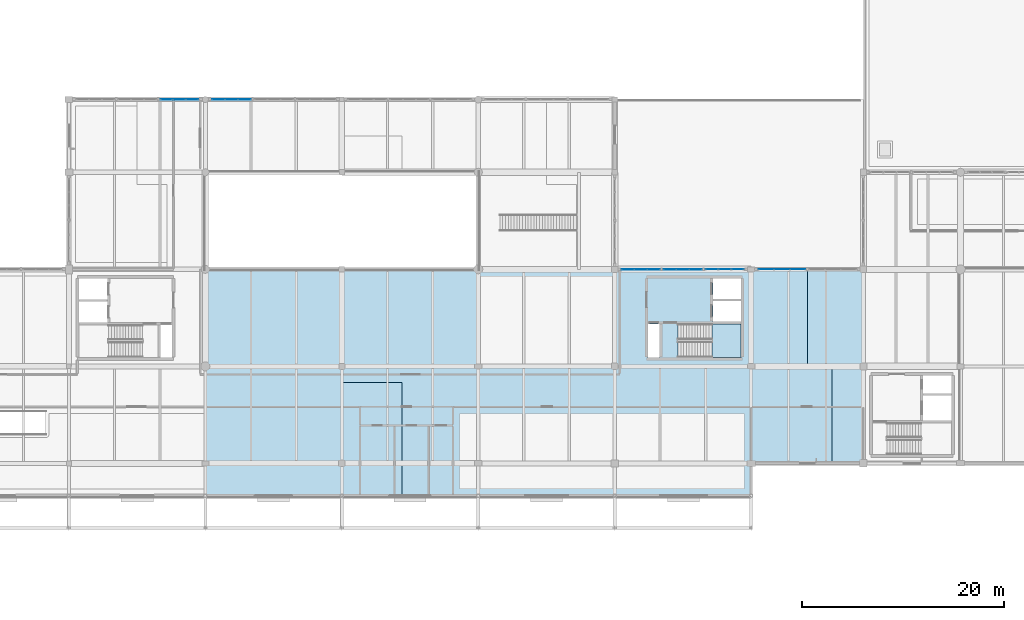
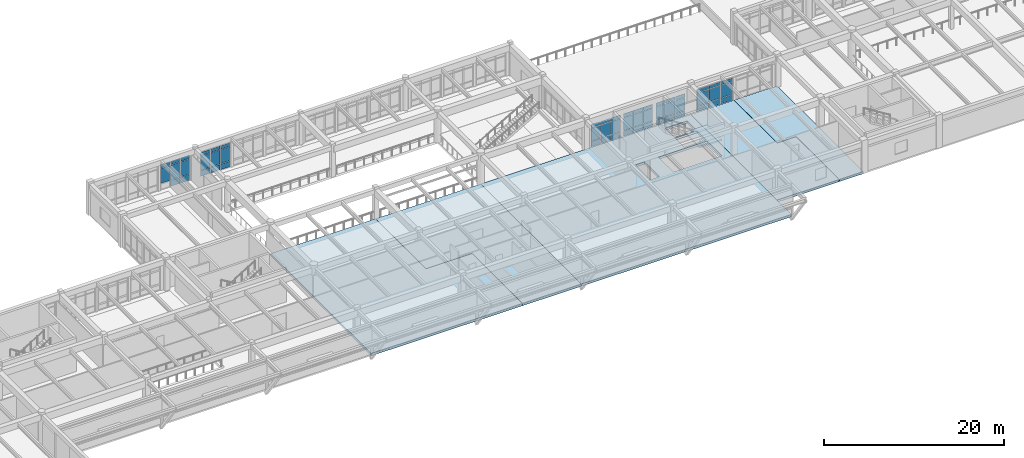
# One storey, part 71 of 109: 53 plates, 6 slabs, 7 elements without a shape of their own.
"""IFC4 building model written with IfcOpenShell, lengths in metres."""

from ifc_helpers import new_model, si_unit, direction, frame, origin, origin_2d, place, context, subcontext, project, spatial, polyline, rectangle, outline, extrude, material, layer, layer_set, type_object, element, aggregate, save


model = new_model("IFC4")

# Units and contexts
model_context = context("Model", 3, precision=1e-05, world=origin(), true_north=direction((0.0, 1.0)))
body_context = subcontext(model_context, "Body", "Model", "MODEL_VIEW")
ifc_project = project(units=[si_unit("LENGTHUNIT", "METRE"), si_unit("AREAUNIT", "SQUARE_METRE"), si_unit("VOLUMEUNIT", "CUBIC_METRE"), si_unit("PLANEANGLEUNIT", "RADIAN"), si_unit("MASSUNIT", "GRAM", prefix="KILO")], contexts=[model_context])

# Site, building, storey
site_placement = place(None, origin())
site = spatial("IfcSite", under=ifc_project, at=site_placement, CompositionType="ELEMENT")
building_placement = place(site_placement, origin())
building = spatial("IfcBuilding", under=site, at=building_placement, Name="Fikremerkos Civic Library", CompositionType="ELEMENT")
storey_placement = place(building_placement, frame((0.0, 0.0, 5.39990234375)))
storey = spatial("IfcBuildingStorey", under=building, at=storey_placement, Name="L01", CompositionType="ELEMENT", Elevation=5.39990234375)

# Curtain wall, plates
ifc_material_1 = material(Name="Anodized aluminium Frame", Category="aluminium")
ifc_layer_1 = layer(ifc_material_1, 0.159912109375, Name="Anodized aluminium Frame")
ifc_layer_set_1 = layer_set([ifc_layer_1], Name="Anodized aluminium Frame")
curtain_wall_type_1 = type_object("IfcCurtainWallType", Name="Unitised curtain wall CW-13 3700x3200", PredefinedType="USERDEFINED", material=ifc_layer_set_1)
curtain_wall_1_placement = place(storey_placement, origin())
curtain_wall_1 = element("IfcCurtainWall", 1, at=curtain_wall_1_placement, inside=storey, type_object=curtain_wall_type_1, Name="Unitised curtain wall CW-13 L01 #85", ObjectType="UNITISED CURTAIN WALL", PredefinedType="USERDEFINED")
ifc_material_2 = material(Name="Solar control double glazing", Category="glass")
ifc_layer_2 = layer(ifc_material_2, 0.028076171875, Name="Solar control double glazing")
ifc_layer_set_2 = layer_set([ifc_layer_2], Name="Solar control double glazing")
plate_type_1 = type_object("IfcPlateType", Name="Curtain glazing panel CWP-01 28", PredefinedType="CURTAIN_PANEL", material=ifc_layer_set_2)
plate_1_placement = place(storey_placement, frame((55.86572265625, 48.0, 0.8798828125), z_axis=(0.0, 0.0, 1.0), x_axis=(1.0, 0.0, 0.0)))
plate_1 = element("IfcPlate", 2, at=plate_1_placement, type_object=plate_type_1, Name="CW-13 panel 1.2", PredefinedType="CURTAIN_PANEL", context=body_context, shape_type="SweptSolid", body=[
    extrude(rectangle(XDim=1.18359375, YDim=0.028076171875, at=origin_2d()), origin(), (0.0, 0.0, 1.0), 2.050048828125),
])
plate_2_placement = place(storey_placement, frame((55.86572265625, 48.0, 2.990234375), z_axis=(0.0, 0.0, 1.0), x_axis=(1.0, 0.0, 0.0)))
plate_2 = element("IfcPlate", 3, at=plate_2_placement, type_object=plate_type_1, Name="CW-13 panel 1.3", PredefinedType="CURTAIN_PANEL", context=body_context, shape_type="SweptSolid", body=[
    extrude(rectangle(XDim=1.18359375, YDim=0.028076171875, at=origin_2d()), origin(), (0.0, 0.0, 1.0), 0.4599609375),
])
plate_3_placement = place(storey_placement, frame((57.130615234375, 48.0, 0.06005859375), z_axis=(0.0, 0.0, 1.0), x_axis=(1.0, 0.0, 0.0)))
plate_3 = element("IfcPlate", 4, at=plate_3_placement, type_object=plate_type_1, Name="CW-13 panel 2.1", PredefinedType="CURTAIN_PANEL", context=body_context, shape_type="SweptSolid", body=[
    extrude(rectangle(XDim=1.216064453125, YDim=0.028076171875, at=origin_2d()), origin(), (0.0, 0.0, 1.0), 0.760009765625),
])
plate_4_placement = place(storey_placement, frame((57.130615234375, 48.0, 0.8798828125), z_axis=(0.0, 0.0, 1.0), x_axis=(1.0, 0.0, 0.0)))
plate_4 = element("IfcPlate", 5, at=plate_4_placement, type_object=plate_type_1, Name="CW-13 panel 2.2", PredefinedType="CURTAIN_PANEL", context=body_context, shape_type="SweptSolid", body=[
    extrude(rectangle(XDim=1.216064453125, YDim=0.028076171875, at=origin_2d()), origin(), (0.0, 0.0, 1.0), 2.050048828125),
])
plate_5_placement = place(storey_placement, frame((57.130615234375, 48.0, 2.990234375), z_axis=(0.0, 0.0, 1.0), x_axis=(1.0, 0.0, 0.0)))
plate_5 = element("IfcPlate", 6, at=plate_5_placement, type_object=plate_type_1, Name="CW-13 panel 2.3", PredefinedType="CURTAIN_PANEL", context=body_context, shape_type="SweptSolid", body=[
    extrude(rectangle(XDim=1.216064453125, YDim=0.028076171875, at=origin_2d()), origin(), (0.0, 0.0, 1.0), 0.4599609375),
])
plate_6_placement = place(storey_placement, frame((58.395263671875, 48.0, 0.06005859375), z_axis=(0.0, 0.0, 1.0), x_axis=(1.0, 0.0, 0.0)))
plate_6 = element("IfcPlate", 7, at=plate_6_placement, type_object=plate_type_1, Name="CW-13 panel 3.1", PredefinedType="CURTAIN_PANEL", context=body_context, shape_type="SweptSolid", body=[
    extrude(rectangle(XDim=1.18359375, YDim=0.028076171875, at=origin_2d()), origin(), (0.0, 0.0, 1.0), 0.760009765625),
])
plate_7_placement = place(storey_placement, frame((58.395263671875, 48.0, 0.8798828125), z_axis=(0.0, 0.0, 1.0), x_axis=(1.0, 0.0, 0.0)))
plate_7 = element("IfcPlate", 8, at=plate_7_placement, type_object=plate_type_1, Name="CW-13 panel 3.2", PredefinedType="CURTAIN_PANEL", context=body_context, shape_type="SweptSolid", body=[
    extrude(rectangle(XDim=1.18359375, YDim=0.028076171875, at=origin_2d()), origin(), (0.0, 0.0, 1.0), 2.050048828125),
])
plate_8_placement = place(storey_placement, frame((58.395263671875, 48.0, 2.990234375), z_axis=(0.0, 0.0, 1.0), x_axis=(1.0, 0.0, 0.0)))
plate_8 = element("IfcPlate", 9, at=plate_8_placement, type_object=plate_type_1, Name="CW-13 panel 3.3", PredefinedType="CURTAIN_PANEL", context=body_context, shape_type="SweptSolid", body=[
    extrude(rectangle(XDim=1.18359375, YDim=0.028076171875, at=origin_2d()), origin(), (0.0, 0.0, 1.0), 0.4599609375),
])
aggregate(curtain_wall_1, [plate_1, plate_2, plate_3, plate_4, plate_5, plate_6, plate_7, plate_8])

ifc_layer_3 = layer(ifc_material_1, 0.159912109375, Name="Anodized aluminium Frame")
ifc_layer_set_3 = layer_set([ifc_layer_3], Name="Anodized aluminium Frame")
curtain_wall_type_2 = type_object("IfcCurtainWallType", Name="Unitised curtain wall CW-09 3600x3400", PredefinedType="USERDEFINED", material=ifc_layer_set_3)
curtain_wall_2_placement = place(storey_placement, origin())
curtain_wall_2 = element("IfcCurtainWall", 10, at=curtain_wall_2_placement, inside=storey, type_object=curtain_wall_type_2, Name="Unitised curtain wall CW-09 L01 #99", ObjectType="UNITISED CURTAIN WALL", PredefinedType="USERDEFINED")
plate_9_placement = place(storey_placement, frame((109.808837890625, 31.199951171875, 0.070068359375), z_axis=(0.0, 0.0, 1.0), x_axis=(1.0, 0.0, 0.0)))
plate_9 = element("IfcPlate", 11, at=plate_9_placement, type_object=plate_type_1, Name="CW-09 panel 1.1", PredefinedType="CURTAIN_PANEL", context=body_context, shape_type="SweptSolid", body=[
    extrude(rectangle(XDim=1.186279296875, YDim=0.028076171875, at=origin_2d()), origin(), (0.0, 0.0, 1.0), 0.7451171875),
])
plate_10_placement = place(storey_placement, frame((109.808837890625, 31.199951171875, 0.88525390625), z_axis=(0.0, 0.0, 1.0), x_axis=(1.0, 0.0, 0.0)))
plate_10 = element("IfcPlate", 12, at=plate_10_placement, type_object=plate_type_1, Name="CW-09 panel 1.2", PredefinedType="CURTAIN_PANEL", context=body_context, shape_type="SweptSolid", body=[
    extrude(rectangle(XDim=1.186279296875, YDim=0.028076171875, at=origin_2d()), origin(), (0.0, 0.0, 1.0), 1.699951171875),
])
plate_11_placement = place(storey_placement, frame((109.808837890625, 31.199951171875, 2.6552734375), z_axis=(0.0, 0.0, 1.0), x_axis=(1.0, 0.0, 0.0)))
plate_11 = element("IfcPlate", 13, at=plate_11_placement, type_object=plate_type_1, Name="CW-09 panel 1.3", PredefinedType="CURTAIN_PANEL", context=body_context, shape_type="SweptSolid", body=[
    extrude(rectangle(XDim=1.186279296875, YDim=0.028076171875, at=origin_2d()), origin(), (0.0, 0.0, 1.0), 0.445068359375),
])
plate_12_placement = place(storey_placement, frame((111.076416015625, 31.199951171875, 0.070068359375), z_axis=(0.0, 0.0, 1.0), x_axis=(1.0, 0.0, 0.0)))
plate_12 = element("IfcPlate", 14, at=plate_12_placement, type_object=plate_type_1, Name="CW-09 panel 2.1", PredefinedType="CURTAIN_PANEL", context=body_context, shape_type="SweptSolid", body=[
    extrude(rectangle(XDim=1.21875, YDim=0.028076171875, at=origin_2d()), origin(), (0.0, 0.0, 1.0), 0.7451171875),
])
plate_13_placement = place(storey_placement, frame((111.076416015625, 31.199951171875, 0.88525390625), z_axis=(0.0, 0.0, 1.0), x_axis=(1.0, 0.0, 0.0)))
plate_13 = element("IfcPlate", 15, at=plate_13_placement, type_object=plate_type_1, Name="CW-09 panel 2.2", PredefinedType="CURTAIN_PANEL", context=body_context, shape_type="SweptSolid", body=[
    extrude(rectangle(XDim=1.21875, YDim=0.028076171875, at=origin_2d()), origin(), (0.0, 0.0, 1.0), 1.699951171875),
])
plate_14_placement = place(storey_placement, frame((111.076416015625, 31.199951171875, 2.6552734375), z_axis=(0.0, 0.0, 1.0), x_axis=(1.0, 0.0, 0.0)))
plate_14 = element("IfcPlate", 16, at=plate_14_placement, type_object=plate_type_1, Name="CW-09 panel 2.3", PredefinedType="CURTAIN_PANEL", context=body_context, shape_type="SweptSolid", body=[
    extrude(rectangle(XDim=1.21875, YDim=0.028076171875, at=origin_2d()), origin(), (0.0, 0.0, 1.0), 0.445068359375),
])
plate_15_placement = place(storey_placement, frame((112.34375, 31.199951171875, 0.070068359375), z_axis=(0.0, 0.0, 1.0), x_axis=(1.0, 0.0, 0.0)))
plate_15 = element("IfcPlate", 17, at=plate_15_placement, type_object=plate_type_1, Name="CW-09 panel 3.1", PredefinedType="CURTAIN_PANEL", context=body_context, shape_type="SweptSolid", body=[
    extrude(rectangle(XDim=1.186279296875, YDim=0.028076171875, at=origin_2d()), origin(), (0.0, 0.0, 1.0), 0.7451171875),
])
plate_16_placement = place(storey_placement, frame((112.34375, 31.199951171875, 0.88525390625), z_axis=(0.0, 0.0, 1.0), x_axis=(1.0, 0.0, 0.0)))
plate_16 = element("IfcPlate", 18, at=plate_16_placement, type_object=plate_type_1, Name="CW-09 panel 3.2", PredefinedType="CURTAIN_PANEL", context=body_context, shape_type="SweptSolid", body=[
    extrude(rectangle(XDim=1.186279296875, YDim=0.028076171875, at=origin_2d()), origin(), (0.0, 0.0, 1.0), 1.699951171875),
])
plate_17_placement = place(storey_placement, frame((112.34375, 31.199951171875, 2.6552734375), z_axis=(0.0, 0.0, 1.0), x_axis=(1.0, 0.0, 0.0)))
plate_17 = element("IfcPlate", 19, at=plate_17_placement, type_object=plate_type_1, Name="CW-09 panel 3.3", PredefinedType="CURTAIN_PANEL", context=body_context, shape_type="SweptSolid", body=[
    extrude(rectangle(XDim=1.186279296875, YDim=0.028076171875, at=origin_2d()), origin(), (0.0, 0.0, 1.0), 0.445068359375),
])
aggregate(curtain_wall_2, [plate_9, plate_10, plate_11, plate_12, plate_13, plate_14, plate_15, plate_16, plate_17])

ifc_layer_4 = layer(ifc_material_1, 0.159912109375, Name="Anodized aluminium Frame")
ifc_layer_set_4 = layer_set([ifc_layer_4], Name="Anodized aluminium Frame")
curtain_wall_type_3 = type_object("IfcCurtainWallType", Name="Unitised curtain wall CW-14 4100x3200", PredefinedType="USERDEFINED", material=ifc_layer_set_4)
curtain_wall_3_placement = place(storey_placement, origin())
curtain_wall_3 = element("IfcCurtainWall", 20, at=curtain_wall_3_placement, inside=storey, type_object=curtain_wall_type_3, Name="Unitised curtain wall CW-14 L01 #86", ObjectType="UNITISED CURTAIN WALL", PredefinedType="USERDEFINED")
ifc_layer_5 = layer(ifc_material_2, 0.035888671875, Name="Solar control double glazing")
ifc_layer_set_5 = layer_set([ifc_layer_5], Name="Solar control double glazing")
plate_type_2 = type_object("IfcPlateType", Name="Curtain glazing panel CWP-02 36", PredefinedType="CURTAIN_PANEL", material=ifc_layer_set_5)
plate_18_placement = place(storey_placement, frame((61.01171875, 48.0, 0.06005859375), z_axis=(0.0, 0.0, 1.0), x_axis=(1.0, 0.0, 0.0)))
plate_18 = element("IfcPlate", 21, at=plate_18_placement, type_object=plate_type_2, Name="CW-14 panel 1.1", PredefinedType="CURTAIN_PANEL", context=body_context, shape_type="SweptSolid", body=[
    extrude(rectangle(XDim=1.207763671875, YDim=0.035888671875, at=origin_2d()), origin(), (0.0, 0.0, 1.0), 0.760009765625),
])
plate_19_placement = place(storey_placement, frame((61.01171875, 48.0, 0.880126953125), z_axis=(0.0, 0.0, 1.0), x_axis=(1.0, 0.0, 0.0)))
plate_19 = element("IfcPlate", 22, at=plate_19_placement, type_object=plate_type_2, Name="CW-14 panel 1.2", PredefinedType="CURTAIN_PANEL", context=body_context, shape_type="SweptSolid", body=[
    extrude(rectangle(XDim=1.207763671875, YDim=0.035888671875, at=origin_2d()), origin(), (0.0, 0.0, 1.0), 1.89990234375),
])
plate_20_placement = place(storey_placement, frame((61.01171875, 48.0, 2.840087890625), z_axis=(0.0, 0.0, 1.0), x_axis=(1.0, 0.0, 0.0)))
plate_20 = element("IfcPlate", 23, at=plate_20_placement, type_object=plate_type_2, Name="CW-14 panel 1.3", PredefinedType="CURTAIN_PANEL", context=body_context, shape_type="SweptSolid", body=[
    extrude(rectangle(XDim=1.207763671875, YDim=0.035888671875, at=origin_2d()), origin(), (0.0, 0.0, 1.0), 0.4599609375),
])
plate_21_placement = place(storey_placement, frame((62.29443359375, 48.0, 0.06005859375), z_axis=(0.0, 0.0, 1.0), x_axis=(1.0, 0.0, 0.0)))
plate_21 = element("IfcPlate", 24, at=plate_21_placement, type_object=plate_type_2, Name="CW-14 panel 2.1", PredefinedType="CURTAIN_PANEL", context=body_context, shape_type="SweptSolid", body=[
    extrude(rectangle(XDim=1.237548828125, YDim=0.035888671875, at=origin_2d()), origin(), (0.0, 0.0, 1.0), 0.760009765625),
])
plate_22_placement = place(storey_placement, frame((62.29443359375, 48.0, 0.880126953125), z_axis=(0.0, 0.0, 1.0), x_axis=(1.0, 0.0, 0.0)))
plate_22 = element("IfcPlate", 25, at=plate_22_placement, type_object=plate_type_2, Name="CW-14 panel 2.2", PredefinedType="CURTAIN_PANEL", context=body_context, shape_type="SweptSolid", body=[
    extrude(rectangle(XDim=1.237548828125, YDim=0.035888671875, at=origin_2d()), origin(), (0.0, 0.0, 1.0), 1.89990234375),
])
plate_23_placement = place(storey_placement, frame((62.29443359375, 48.0, 2.840087890625), z_axis=(0.0, 0.0, 1.0), x_axis=(1.0, 0.0, 0.0)))
plate_23 = element("IfcPlate", 26, at=plate_23_placement, type_object=plate_type_2, Name="CW-14 panel 2.3", PredefinedType="CURTAIN_PANEL", context=body_context, shape_type="SweptSolid", body=[
    extrude(rectangle(XDim=1.237548828125, YDim=0.035888671875, at=origin_2d()), origin(), (0.0, 0.0, 1.0), 0.4599609375),
])
plate_24_placement = place(storey_placement, frame((63.5771484375, 48.0, 0.06005859375), z_axis=(0.0, 0.0, 1.0), x_axis=(1.0, 0.0, 0.0)))
plate_24 = element("IfcPlate", 27, at=plate_24_placement, type_object=plate_type_2, Name="CW-14 panel 3.1", PredefinedType="CURTAIN_PANEL", context=body_context, shape_type="SweptSolid", body=[
    extrude(rectangle(XDim=1.207763671875, YDim=0.035888671875, at=origin_2d()), origin(), (0.0, 0.0, 1.0), 0.760009765625),
])
plate_25_placement = place(storey_placement, frame((63.5771484375, 48.0, 0.880126953125), z_axis=(0.0, 0.0, 1.0), x_axis=(1.0, 0.0, 0.0)))
plate_25 = element("IfcPlate", 28, at=plate_25_placement, type_object=plate_type_2, Name="CW-14 panel 3.2", PredefinedType="CURTAIN_PANEL", context=body_context, shape_type="SweptSolid", body=[
    extrude(rectangle(XDim=1.207763671875, YDim=0.035888671875, at=origin_2d()), origin(), (0.0, 0.0, 1.0), 1.89990234375),
])
plate_26_placement = place(storey_placement, frame((63.5771484375, 48.0, 2.840087890625), z_axis=(0.0, 0.0, 1.0), x_axis=(1.0, 0.0, 0.0)))
plate_26 = element("IfcPlate", 29, at=plate_26_placement, type_object=plate_type_2, Name="CW-14 panel 3.3", PredefinedType="CURTAIN_PANEL", context=body_context, shape_type="SweptSolid", body=[
    extrude(rectangle(XDim=1.207763671875, YDim=0.035888671875, at=origin_2d()), origin(), (0.0, 0.0, 1.0), 0.4599609375),
])
aggregate(curtain_wall_3, [plate_18, plate_19, plate_20, plate_21, plate_22, plate_23, plate_24, plate_25, plate_26])

ifc_layer_6 = layer(ifc_material_1, 0.159912109375, Name="Anodized aluminium Frame")
ifc_layer_set_6 = layer_set([ifc_layer_6], Name="Anodized aluminium Frame")
curtain_wall_type_4 = type_object("IfcCurtainWallType", Name="Unitised curtain wall CW-10 4000x3400", PredefinedType="USERDEFINED", material=ifc_layer_set_6)
curtain_wall_4_placement = place(storey_placement, origin())
curtain_wall_4 = element("IfcCurtainWall", 30, at=curtain_wall_4_placement, inside=storey, type_object=curtain_wall_type_4, Name="Unitised curtain wall CW-10 L01 #100", ObjectType="UNITISED CURTAIN WALL", PredefinedType="USERDEFINED")
plate_27_placement = place(storey_placement, frame((115.19873046875, 31.199951171875, 0.070068359375), z_axis=(0.0, 0.0, 1.0), x_axis=(1.0, 0.0, 0.0)))
plate_27 = element("IfcPlate", 31, at=plate_27_placement, type_object=plate_type_2, Name="CW-10 panel 1.1", PredefinedType="CURTAIN_PANEL", context=body_context, shape_type="SweptSolid", body=[
    extrude(rectangle(XDim=1.4814453125, YDim=0.035888671875, at=origin_2d()), origin(), (0.0, 0.0, 1.0), 0.7451171875),
])
plate_28_placement = place(storey_placement, frame((115.19873046875, 31.199951171875, 0.88525390625), z_axis=(0.0, 0.0, 1.0), x_axis=(1.0, 0.0, 0.0)))
plate_28 = element("IfcPlate", 32, at=plate_28_placement, type_object=plate_type_2, Name="CW-10 panel 1.2", PredefinedType="CURTAIN_PANEL", context=body_context, shape_type="SweptSolid", body=[
    extrude(rectangle(XDim=1.4814453125, YDim=0.035888671875, at=origin_2d()), origin(), (0.0, 0.0, 1.0), 1.699951171875),
])
plate_29_placement = place(storey_placement, frame((115.19873046875, 31.199951171875, 2.6552734375), z_axis=(0.0, 0.0, 1.0), x_axis=(1.0, 0.0, 0.0)))
plate_29 = element("IfcPlate", 33, at=plate_29_placement, type_object=plate_type_2, Name="CW-10 panel 1.3", PredefinedType="CURTAIN_PANEL", context=body_context, shape_type="SweptSolid", body=[
    extrude(rectangle(XDim=1.4814453125, YDim=0.035888671875, at=origin_2d()), origin(), (0.0, 0.0, 1.0), 0.445068359375),
])
plate_30_placement = place(storey_placement, frame((116.75537109375, 31.199951171875, 0.070068359375), z_axis=(0.0, 0.0, 1.0), x_axis=(1.0, 0.0, 0.0)))
plate_30 = element("IfcPlate", 34, at=plate_30_placement, type_object=plate_type_2, Name="CW-10 panel 2.1", PredefinedType="CURTAIN_PANEL", context=body_context, shape_type="SweptSolid", body=[
    extrude(rectangle(XDim=1.511474609375, YDim=0.035888671875, at=origin_2d()), origin(), (0.0, 0.0, 1.0), 0.7451171875),
])
plate_31_placement = place(storey_placement, frame((116.75537109375, 31.199951171875, 0.88525390625), z_axis=(0.0, 0.0, 1.0), x_axis=(1.0, 0.0, 0.0)))
plate_31 = element("IfcPlate", 35, at=plate_31_placement, type_object=plate_type_2, Name="CW-10 panel 2.2", PredefinedType="CURTAIN_PANEL", context=body_context, shape_type="SweptSolid", body=[
    extrude(rectangle(XDim=1.511474609375, YDim=0.035888671875, at=origin_2d()), origin(), (0.0, 0.0, 1.0), 1.699951171875),
])
plate_32_placement = place(storey_placement, frame((116.75537109375, 31.199951171875, 2.6552734375), z_axis=(0.0, 0.0, 1.0), x_axis=(1.0, 0.0, 0.0)))
plate_32 = element("IfcPlate", 36, at=plate_32_placement, type_object=plate_type_2, Name="CW-10 panel 2.3", PredefinedType="CURTAIN_PANEL", context=body_context, shape_type="SweptSolid", body=[
    extrude(rectangle(XDim=1.511474609375, YDim=0.035888671875, at=origin_2d()), origin(), (0.0, 0.0, 1.0), 0.445068359375),
])
plate_33_placement = place(storey_placement, frame((118.311767578125, 31.199951171875, 0.070068359375), z_axis=(0.0, 0.0, 1.0), x_axis=(1.0, 0.0, 0.0)))
plate_33 = element("IfcPlate", 37, at=plate_33_placement, type_object=plate_type_2, Name="CW-10 panel 3.1", PredefinedType="CURTAIN_PANEL", context=body_context, shape_type="SweptSolid", body=[
    extrude(rectangle(XDim=1.4814453125, YDim=0.035888671875, at=origin_2d()), origin(), (0.0, 0.0, 1.0), 0.7451171875),
])
plate_34_placement = place(storey_placement, frame((118.311767578125, 31.199951171875, 0.88525390625), z_axis=(0.0, 0.0, 1.0), x_axis=(1.0, 0.0, 0.0)))
plate_34 = element("IfcPlate", 38, at=plate_34_placement, type_object=plate_type_2, Name="CW-10 panel 3.2", PredefinedType="CURTAIN_PANEL", context=body_context, shape_type="SweptSolid", body=[
    extrude(rectangle(XDim=1.4814453125, YDim=0.035888671875, at=origin_2d()), origin(), (0.0, 0.0, 1.0), 1.699951171875),
])
plate_35_placement = place(storey_placement, frame((118.311767578125, 31.199951171875, 2.6552734375), z_axis=(0.0, 0.0, 1.0), x_axis=(1.0, 0.0, 0.0)))
plate_35 = element("IfcPlate", 39, at=plate_35_placement, type_object=plate_type_2, Name="CW-10 panel 3.3", PredefinedType="CURTAIN_PANEL", context=body_context, shape_type="SweptSolid", body=[
    extrude(rectangle(XDim=1.4814453125, YDim=0.035888671875, at=origin_2d()), origin(), (0.0, 0.0, 1.0), 0.445068359375),
])
aggregate(curtain_wall_4, [plate_27, plate_28, plate_29, plate_30, plate_31, plate_32, plate_33, plate_34, plate_35])

ifc_layer_7 = layer(ifc_material_1, 0.159912109375, Name="Anodized aluminium Frame")
ifc_layer_set_7 = layer_set([ifc_layer_7], Name="Anodized aluminium Frame")
curtain_wall_type_5 = type_object("IfcCurtainWallType", Name="Unitised curtain wall CW-07 3500x4100", PredefinedType="USERDEFINED", material=ifc_layer_set_7)
curtain_wall_5_placement = place(storey_placement, origin())
curtain_wall_5 = element("IfcCurtainWall", 40, at=curtain_wall_5_placement, inside=storey, type_object=curtain_wall_type_5, Name="Unitised curtain wall CW-07 L01 #97", ObjectType="UNITISED CURTAIN WALL", PredefinedType="USERDEFINED")
ifc_material_3 = material(Name="Insulated aluminium spandrel", Category="aluminium")
ifc_layer_8 = layer(ifc_material_3, 0.044921875, Name="Insulated aluminium spandrel")
ifc_layer_set_8 = layer_set([ifc_layer_8], Name="Insulated aluminium spandrel")
plate_type_3 = type_object("IfcPlateType", Name="Curtain spandrel panel CSP-01 45", PredefinedType="CURTAIN_PANEL", material=ifc_layer_set_8)
plate_36_placement = place(storey_placement, frame((101.5048828125, 31.199951171875, 0.070068359375), z_axis=(0.0, 0.0, 1.0), x_axis=(1.0, 0.0, 0.0)))
plate_36 = element("IfcPlate", 41, at=plate_36_placement, type_object=plate_type_3, Name="CW-07 panel 1.1", PredefinedType="CURTAIN_PANEL", context=body_context, shape_type="SweptSolid", body=[
    extrude(rectangle(XDim=1.19384765625, YDim=0.044921875, at=origin_2d()), origin(), (0.0, 0.0, 1.0), 0.7451171875),
])
plate_37_placement = place(storey_placement, frame((101.5048828125, 31.199951171875, 0.88525390625), z_axis=(0.0, 0.0, 1.0), x_axis=(1.0, 0.0, 0.0)))
plate_37 = element("IfcPlate", 42, at=plate_37_placement, type_object=plate_type_3, Name="CW-07 panel 1.2", PredefinedType="CURTAIN_PANEL", context=body_context, shape_type="SweptSolid", body=[
    extrude(rectangle(XDim=1.19384765625, YDim=0.044921875, at=origin_2d()), origin(), (0.0, 0.0, 1.0), 1.699951171875),
])
plate_38_placement = place(storey_placement, frame((101.5048828125, 31.199951171875, 2.6552734375), z_axis=(0.0, 0.0, 1.0), x_axis=(1.0, 0.0, 0.0)))
plate_38 = element("IfcPlate", 43, at=plate_38_placement, type_object=plate_type_3, Name="CW-07 panel 1.3", PredefinedType="CURTAIN_PANEL", context=body_context, shape_type="SweptSolid", body=[
    extrude(rectangle(XDim=1.19384765625, YDim=0.044921875, at=origin_2d()), origin(), (0.0, 0.0, 1.0), 0.445068359375),
])
plate_39_placement = place(storey_placement, frame((102.773681640625, 31.199951171875, 0.070068359375), z_axis=(0.0, 0.0, 1.0), x_axis=(1.0, 0.0, 0.0)))
plate_39 = element("IfcPlate", 44, at=plate_39_placement, type_object=plate_type_3, Name="CW-07 panel 2.1", PredefinedType="CURTAIN_PANEL", context=body_context, shape_type="SweptSolid", body=[
    extrude(rectangle(XDim=1.223876953125, YDim=0.044921875, at=origin_2d()), origin(), (0.0, 0.0, 1.0), 0.7451171875),
])
plate_40_placement = place(storey_placement, frame((102.773681640625, 31.199951171875, 0.88525390625), z_axis=(0.0, 0.0, 1.0), x_axis=(1.0, 0.0, 0.0)))
plate_40 = element("IfcPlate", 45, at=plate_40_placement, type_object=plate_type_3, Name="CW-07 panel 2.2", PredefinedType="CURTAIN_PANEL", context=body_context, shape_type="SweptSolid", body=[
    extrude(rectangle(XDim=1.223876953125, YDim=0.044921875, at=origin_2d()), origin(), (0.0, 0.0, 1.0), 1.699951171875),
])
plate_41_placement = place(storey_placement, frame((102.773681640625, 31.199951171875, 2.6552734375), z_axis=(0.0, 0.0, 1.0), x_axis=(1.0, 0.0, 0.0)))
plate_41 = element("IfcPlate", 46, at=plate_41_placement, type_object=plate_type_3, Name="CW-07 panel 2.3", PredefinedType="CURTAIN_PANEL", context=body_context, shape_type="SweptSolid", body=[
    extrude(rectangle(XDim=1.223876953125, YDim=0.044921875, at=origin_2d()), origin(), (0.0, 0.0, 1.0), 0.445068359375),
])
plate_42_placement = place(storey_placement, frame((104.04248046875, 31.199951171875, 0.070068359375), z_axis=(0.0, 0.0, 1.0), x_axis=(1.0, 0.0, 0.0)))
plate_42 = element("IfcPlate", 47, at=plate_42_placement, type_object=plate_type_3, Name="CW-07 panel 3.1", PredefinedType="CURTAIN_PANEL", context=body_context, shape_type="SweptSolid", body=[
    extrude(rectangle(XDim=1.19384765625, YDim=0.044921875, at=origin_2d()), origin(), (0.0, 0.0, 1.0), 0.7451171875),
])
plate_43_placement = place(storey_placement, frame((104.04248046875, 31.199951171875, 0.88525390625), z_axis=(0.0, 0.0, 1.0), x_axis=(1.0, 0.0, 0.0)))
plate_43 = element("IfcPlate", 48, at=plate_43_placement, type_object=plate_type_3, Name="CW-07 panel 3.2", PredefinedType="CURTAIN_PANEL", context=body_context, shape_type="SweptSolid", body=[
    extrude(rectangle(XDim=1.19384765625, YDim=0.044921875, at=origin_2d()), origin(), (0.0, 0.0, 1.0), 1.699951171875),
])
plate_44_placement = place(storey_placement, frame((104.04248046875, 31.199951171875, 2.6552734375), z_axis=(0.0, 0.0, 1.0), x_axis=(1.0, 0.0, 0.0)))
plate_44 = element("IfcPlate", 49, at=plate_44_placement, type_object=plate_type_3, Name="CW-07 panel 3.3", PredefinedType="CURTAIN_PANEL", context=body_context, shape_type="SweptSolid", body=[
    extrude(rectangle(XDim=1.19384765625, YDim=0.044921875, at=origin_2d()), origin(), (0.0, 0.0, 1.0), 0.445068359375),
])
aggregate(curtain_wall_5, [plate_36, plate_37, plate_38, plate_39, plate_40, plate_41, plate_42, plate_43, plate_44])

ifc_layer_9 = layer(ifc_material_1, 0.159912109375, Name="Anodized aluminium Frame")
ifc_layer_set_9 = layer_set([ifc_layer_9], Name="Anodized aluminium Frame")
curtain_wall_type_6 = type_object("IfcCurtainWallType", Name="Unitised curtain wall CW-08 4500x4100", PredefinedType="USERDEFINED", material=ifc_layer_set_9)
curtain_wall_6_placement = place(storey_placement, origin())
curtain_wall_6 = element("IfcCurtainWall", 50, at=curtain_wall_6_placement, inside=storey, type_object=curtain_wall_type_6, Name="Unitised curtain wall CW-08 L01 #98", ObjectType="UNITISED CURTAIN WALL", PredefinedType="USERDEFINED")
ifc_layer_10 = layer(ifc_material_3, 0.054931640625, Name="Insulated aluminium spandrel")
ifc_layer_set_10 = layer_set([ifc_layer_10], Name="Insulated aluminium spandrel")
plate_type_4 = type_object("IfcPlateType", Name="Curtain spandrel panel CSP-02 55", PredefinedType="CURTAIN_PANEL", material=ifc_layer_set_10)
plate_45_placement = place(storey_placement, frame((105.65625, 31.199951171875, 0.070068359375), z_axis=(0.0, 0.0, 1.0), x_axis=(1.0, 0.0, 0.0)))
plate_45 = element("IfcPlate", 51, at=plate_45_placement, type_object=plate_type_4, Name="CW-08 panel 1.1", PredefinedType="CURTAIN_PANEL", context=body_context, shape_type="SweptSolid", body=[
    extrude(rectangle(XDim=1.19384765625, YDim=0.054931640625, at=origin_2d()), origin(), (0.0, 0.0, 1.0), 0.7451171875),
])
plate_46_placement = place(storey_placement, frame((105.65625, 31.199951171875, 0.88525390625), z_axis=(0.0, 0.0, 1.0), x_axis=(1.0, 0.0, 0.0)))
plate_46 = element("IfcPlate", 52, at=plate_46_placement, type_object=plate_type_4, Name="CW-08 panel 1.2", PredefinedType="CURTAIN_PANEL", context=body_context, shape_type="SweptSolid", body=[
    extrude(rectangle(XDim=1.19384765625, YDim=0.054931640625, at=origin_2d()), origin(), (0.0, 0.0, 1.0), 1.699951171875),
])
plate_47_placement = place(storey_placement, frame((105.65625, 31.199951171875, 2.6552734375), z_axis=(0.0, 0.0, 1.0), x_axis=(1.0, 0.0, 0.0)))
plate_47 = element("IfcPlate", 53, at=plate_47_placement, type_object=plate_type_4, Name="CW-08 panel 1.3", PredefinedType="CURTAIN_PANEL", context=body_context, shape_type="SweptSolid", body=[
    extrude(rectangle(XDim=1.19384765625, YDim=0.054931640625, at=origin_2d()), origin(), (0.0, 0.0, 1.0), 0.445068359375),
])
plate_48_placement = place(storey_placement, frame((106.925048828125, 31.199951171875, 0.070068359375), z_axis=(0.0, 0.0, 1.0), x_axis=(1.0, 0.0, 0.0)))
plate_48 = element("IfcPlate", 54, at=plate_48_placement, type_object=plate_type_4, Name="CW-08 panel 2.1", PredefinedType="CURTAIN_PANEL", context=body_context, shape_type="SweptSolid", body=[
    extrude(rectangle(XDim=1.223876953125, YDim=0.054931640625, at=origin_2d()), origin(), (0.0, 0.0, 1.0), 0.7451171875),
])
plate_49_placement = place(storey_placement, frame((106.925048828125, 31.199951171875, 0.88525390625), z_axis=(0.0, 0.0, 1.0), x_axis=(1.0, 0.0, 0.0)))
plate_49 = element("IfcPlate", 55, at=plate_49_placement, type_object=plate_type_4, Name="CW-08 panel 2.2", PredefinedType="CURTAIN_PANEL", context=body_context, shape_type="SweptSolid", body=[
    extrude(rectangle(XDim=1.223876953125, YDim=0.054931640625, at=origin_2d()), origin(), (0.0, 0.0, 1.0), 1.699951171875),
])
plate_50_placement = place(storey_placement, frame((106.925048828125, 31.199951171875, 2.6552734375), z_axis=(0.0, 0.0, 1.0), x_axis=(1.0, 0.0, 0.0)))
plate_50 = element("IfcPlate", 56, at=plate_50_placement, type_object=plate_type_4, Name="CW-08 panel 2.3", PredefinedType="CURTAIN_PANEL", context=body_context, shape_type="SweptSolid", body=[
    extrude(rectangle(XDim=1.223876953125, YDim=0.054931640625, at=origin_2d()), origin(), (0.0, 0.0, 1.0), 0.445068359375),
])
plate_51_placement = place(storey_placement, frame((108.19384765625, 31.199951171875, 0.070068359375), z_axis=(0.0, 0.0, 1.0), x_axis=(1.0, 0.0, 0.0)))
plate_51 = element("IfcPlate", 57, at=plate_51_placement, type_object=plate_type_4, Name="CW-08 panel 3.1", PredefinedType="CURTAIN_PANEL", context=body_context, shape_type="SweptSolid", body=[
    extrude(rectangle(XDim=1.19384765625, YDim=0.054931640625, at=origin_2d()), origin(), (0.0, 0.0, 1.0), 0.7451171875),
])
plate_52_placement = place(storey_placement, frame((108.19384765625, 31.199951171875, 0.88525390625), z_axis=(0.0, 0.0, 1.0), x_axis=(1.0, 0.0, 0.0)))
plate_52 = element("IfcPlate", 58, at=plate_52_placement, type_object=plate_type_4, Name="CW-08 panel 3.2", PredefinedType="CURTAIN_PANEL", context=body_context, shape_type="SweptSolid", body=[
    extrude(rectangle(XDim=1.19384765625, YDim=0.054931640625, at=origin_2d()), origin(), (0.0, 0.0, 1.0), 1.699951171875),
])
plate_53_placement = place(storey_placement, frame((108.19384765625, 31.199951171875, 2.6552734375), z_axis=(0.0, 0.0, 1.0), x_axis=(1.0, 0.0, 0.0)))
plate_53 = element("IfcPlate", 59, at=plate_53_placement, type_object=plate_type_4, Name="CW-08 panel 3.3", PredefinedType="CURTAIN_PANEL", context=body_context, shape_type="SweptSolid", body=[
    extrude(rectangle(XDim=1.19384765625, YDim=0.054931640625, at=origin_2d()), origin(), (0.0, 0.0, 1.0), 0.445068359375),
])
aggregate(curtain_wall_6, [plate_45, plate_46, plate_47, plate_48, plate_49, plate_50, plate_51, plate_52, plate_53])

# Stair, slab
ifc_material_4 = material(Name="Concrete C40/50", Category="concrete")
stair_type = type_object("IfcStairType", Name="Half turn stair ST-HT-03 W1550 H4500", PredefinedType="HALF_TURN_STAIR", material=ifc_material_4)
stair_placement = place(storey_placement, origin())
stair = element("IfcStair", 60, at=stair_placement, inside=storey, type_object=stair_type, Name="L01 ST-K2", PredefinedType="HALF_TURN_STAIR")
ifc_layer_11 = layer(ifc_material_4, 0.199951171875, Name="Concrete C40/50")
ifc_layer_set_11 = layer_set([ifc_layer_11], Name="Concrete C40/50")
slab_type_1 = type_object("IfcSlabType", Name="Stair landing slab SLS-01 200", PredefinedType="LANDING", material=ifc_layer_set_11)
slab_1_placement = place(storey_placement, frame((0.0, 0.0, 2.050048828125)))
slab_1 = element("IfcSlab", 61, at=slab_1_placement, type_object=slab_type_1, Name="ST-K2 landing 1", PredefinedType="LANDING", context=body_context, shape_type="SweptSolid", body=[
    extrude(outline(polyline([(109.81005859375, 22.5), (112.699951171875, 22.5), (112.699951171875, 25.800048828125), (109.81005859375, 25.800048828125), (109.81005859375, 22.5)])), origin(), (0.0, 0.0, 1.0), 0.199951171875),
])
aggregate(stair, [slab_1])

# Slabs
ifc_layer_12 = layer(ifc_material_4, 0.320068359375, Name="Concrete C40/50")
ifc_layer_set_12 = layer_set([ifc_layer_12], Name="Concrete C40/50")
slab_type_2 = type_object("IfcSlabType", Name="Suspended floor slab SFS-02 320", PredefinedType="FLOOR", material=ifc_layer_set_12)
slab_2_placement = place(storey_placement, frame((0.0, 0.0, -0.31982421875)))
element("IfcSlab", 62, at=slab_2_placement, inside=storey, type_object=slab_type_2, Name="Floor slab SFS-02 SLB-L01-V4-C-2L1", PredefinedType="FLOOR", context=body_context, shape_type="SweptSolid", body=[
    extrude(outline(polyline([(59.699951171875, 8.800048828125), (79.135986328125, 8.800048828125), (79.135986328125, 19.99609375), (73.196044921875, 19.99609375), (73.196044921875, 31.199951171875), (59.699951171875, 31.199951171875), (59.699951171875, 8.800048828125)])), origin(), (0.0, 0.0, 1.0), 0.31982421875),
])
slab_3_placement = place(storey_placement, frame((0.0, 0.0, -0.31982421875)))
element("IfcSlab", 63, at=slab_3_placement, inside=storey, type_object=slab_type_2, Name="Floor slab SFS-02 SLB-L01-V4-C-2L2", PredefinedType="FLOOR", context=body_context, shape_type="SweptSolid", body=[
    extrude(outline(polyline([(79.14404296875, 8.800048828125), (86.699951171875, 8.800048828125), (86.699951171875, 31.199951171875), (73.2041015625, 31.199951171875), (73.2041015625, 20.00390625), (79.14404296875, 20.00390625), (79.14404296875, 8.800048828125)])), origin(), (0.0, 0.0, 1.0), 0.31982421875),
])
slab_4_placement = place(storey_placement, frame((0.0, 0.0, -0.31982421875)))
element("IfcSlab", 64, at=slab_4_placement, inside=storey, type_object=slab_type_2, Name="Floor slab SFS-02 SLB-L01-V4-C-3", PredefinedType="FLOOR", context=body_context, shape_type="SweptSolid", body=[
    extrude(outline(polyline([(86.699951171875, 8.800048828125), (113.699951171875, 8.800048828125), (113.699951171875, 31.199951171875), (86.699951171875, 31.199951171875), (86.699951171875, 8.800048828125)]), holes=[polyline([(106.449951171875, 22.5), (112.699951171875, 22.5), (112.699951171875, 25.800048828125), (106.449951171875, 25.800048828125), (106.449951171875, 22.5)]), polyline([(109.89990234375, 26.06005859375), (112.699951171875, 26.06005859375), (112.699951171875, 28.10009765625), (109.89990234375, 28.10009765625), (109.89990234375, 26.06005859375)]), polyline([(109.89990234375, 28.260009765625), (112.699951171875, 28.260009765625), (112.699951171875, 30.300048828125), (109.89990234375, 30.300048828125), (109.89990234375, 28.260009765625)]), polyline([(103.5, 22.5), (104.639892578125, 22.5), (104.639892578125, 25.800048828125), (103.5, 25.800048828125), (103.5, 22.5)])]), origin(), (0.0, 0.0, 1.0), 0.31982421875),
])
ifc_layer_13 = layer(ifc_material_4, 0.300048828125, Name="Concrete C40/50")
ifc_layer_set_13 = layer_set([ifc_layer_13], Name="Concrete C40/50")
slab_type_3 = type_object("IfcSlabType", Name="Suspended floor slab SFS-03 300", PredefinedType="FLOOR", material=ifc_layer_set_13)
slab_5_placement = place(storey_placement, frame((0.0, 0.0, -0.2998046875)))
element("IfcSlab", 65, at=slab_5_placement, inside=storey, type_object=slab_type_3, Name="Floor slab SFS-03 SLB-L01-V4-E-1L1", PredefinedType="FLOOR", context=body_context, shape_type="SweptSolid", body=[
    extrude(outline(polyline([(113.699951171875, 12.0), (121.68798828125, 12.0), (121.68798828125, 21.595947265625), (119.24609375, 21.595947265625), (119.24609375, 31.199951171875), (113.699951171875, 31.199951171875), (113.699951171875, 12.0)])), origin(), (0.0, 0.0, 1.0), 0.2998046875),
])
slab_6_placement = place(storey_placement, frame((0.0, 0.0, -0.2998046875)))
element("IfcSlab", 66, at=slab_6_placement, inside=storey, type_object=slab_type_3, Name="Floor slab SFS-03 SLB-L01-V4-E-1L2", PredefinedType="FLOOR", context=body_context, shape_type="SweptSolid", body=[
    extrude(outline(polyline([(121.696044921875, 12.0), (124.800048828125, 12.0), (124.800048828125, 31.199951171875), (119.25390625, 31.199951171875), (119.25390625, 21.60400390625), (121.696044921875, 21.60400390625), (121.696044921875, 12.0)])), origin(), (0.0, 0.0, 1.0), 0.2998046875),
])

save(model, "model.ifc")
